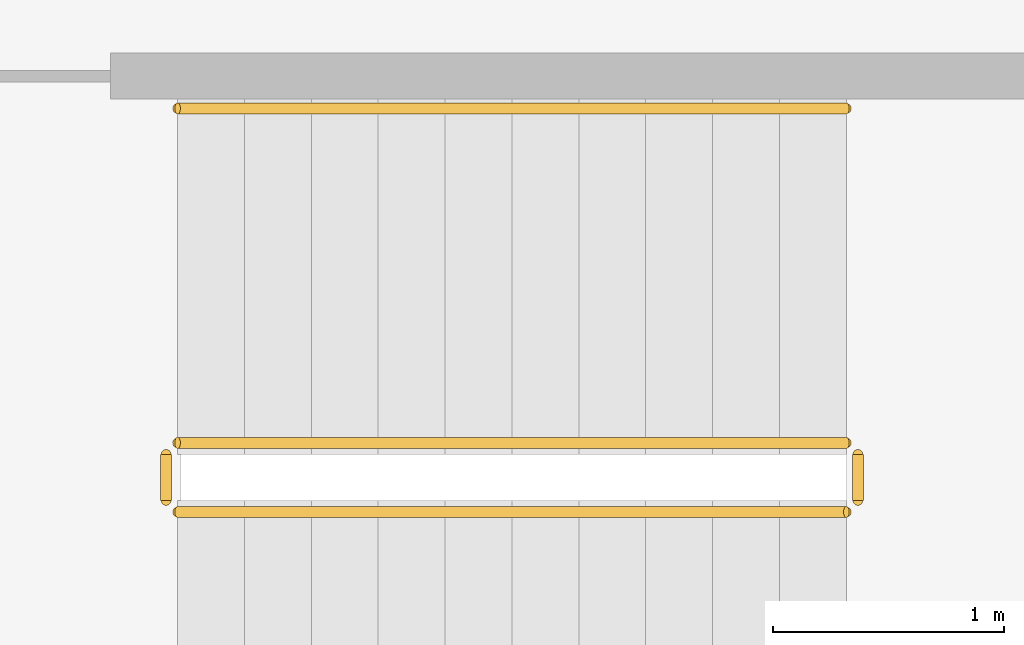
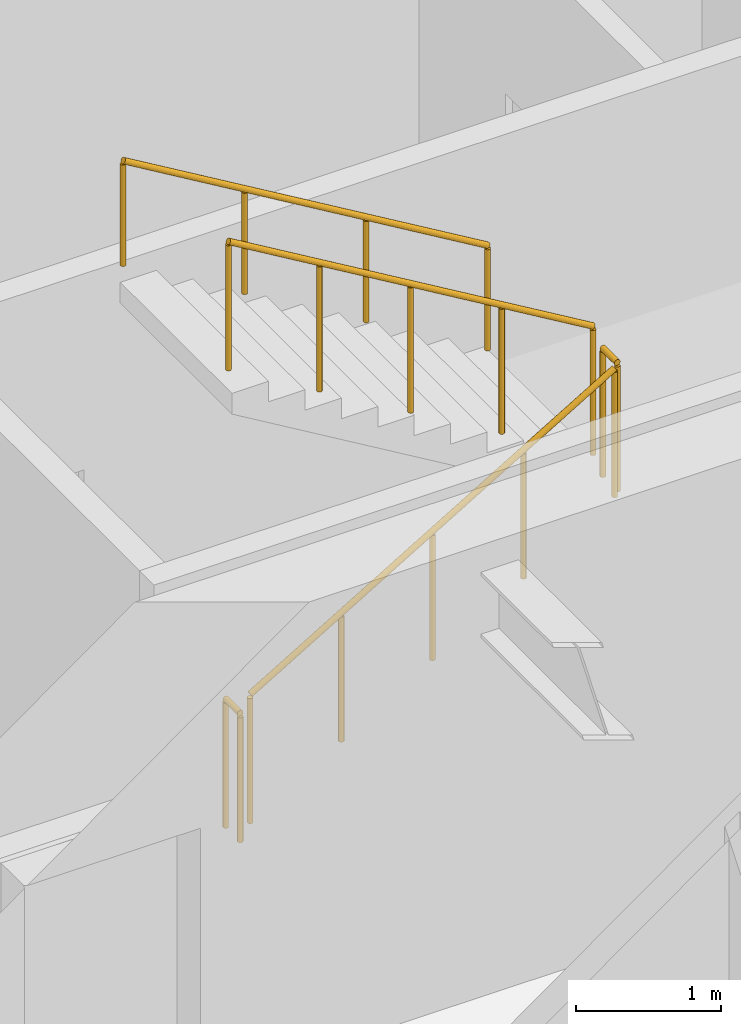
# One storey, part 21 of 22: 5 railings.
"""IFC4 building model written with IfcOpenShell, lengths in metres."""

from ifc_helpers import new_model, si_unit, direction, frame, origin, origin_2d, place, context, subcontext, project, spatial, circle, extrude, material, type_object, element, save


model = new_model("IFC4")

# Units and contexts
model_context = context("Model", 3, precision=1e-05, world=origin(), true_north=direction((0.0, 1.0)))
body_context = subcontext(model_context, "Body", "Model", "MODEL_VIEW")
ifc_project = project(units=[si_unit("LENGTHUNIT", "METRE"), si_unit("AREAUNIT", "SQUARE_METRE"), si_unit("VOLUMEUNIT", "CUBIC_METRE"), si_unit("PLANEANGLEUNIT", "RADIAN"), si_unit("MASSUNIT", "GRAM", prefix="KILO")], contexts=[model_context])

# Site, building, storey
site_placement = place(None, origin())
site = spatial("IfcSite", under=ifc_project, at=site_placement, CompositionType="ELEMENT")
building_placement = place(site_placement, origin())
building = spatial("IfcBuilding", under=site, at=building_placement, Name="Putna Gate Headquarters", CompositionType="ELEMENT")
storey_placement = place(building_placement, frame((0.0, 0.0, 174.60009765625)))
storey = spatial("IfcBuildingStorey", under=building, at=storey_placement, Name="L43", CompositionType="ELEMENT", Elevation=174.60009765625)

# Railings
ifc_material_1 = material(Name="Powder-coated steel stair guardrail", Category="steel")
railing_type_1 = type_object("IfcRailingType", Name="RAIL-STAIR-GUARD-1100", PredefinedType="GUARDRAIL", material=ifc_material_1)
railing_1_placement = place(storey_placement, frame((57.89990234375, 21.10009765625, 0.172607421875)))
element("IfcRailing", 1, at=railing_1_placement, inside=storey, type_object=railing_type_1, Name="L43 ST2 stair guard 1", PredefinedType="GUARDRAIL", context=body_context, shape_type="SweptSolid", body=[
    extrude(circle(Radius=0.02392578125, at=origin_2d()), frame((0.0, 0.0, 1.076171875), z_axis=(0.859160404282, 0.0, 0.51170636083), x_axis=(0.0, 1.0, 0.0)), (0.0, 0.0, 1.0), 3.37548828125),
    extrude(circle(Radius=0.02099609375, at=origin_2d()), origin(), (0.0, 0.0, 1.0), 1.052001953125),
    extrude(circle(Radius=0.02099609375, at=origin_2d()), frame((0.72509765625, 0.0, 0.431884765625)), (0.0, 0.0, 1.0), 1.052001953125),
    extrude(circle(Radius=0.02099609375, at=origin_2d()), frame((1.4501953125, 0.0, 0.86376953125)), (0.0, 0.0, 1.0), 1.052001953125),
    extrude(circle(Radius=0.02099609375, at=origin_2d()), frame((2.175048828125, 0.0, 1.29541015625)), (0.0, 0.0, 1.0), 1.052001953125),
    extrude(circle(Radius=0.02099609375, at=origin_2d()), frame((2.900146484375, 0.0, 1.727294921875)), (0.0, 0.0, 1.0), 1.052001953125),
])
railing_2_placement = place(storey_placement, frame((60.85009765625, 21.14990234375, 1.89990234375)))
element("IfcRailing", 2, at=railing_2_placement, inside=storey, type_object=railing_type_1, Name="L43 ST2 stair guard 2", PredefinedType="GUARDRAIL", context=body_context, shape_type="SweptSolid", body=[
    extrude(circle(Radius=0.02392578125, at=origin_2d()), frame((0.0, 0.0, 1.076171875), z_axis=(0.0, 1.0, 0.0), x_axis=(-1.0, 0.0, 0.0)), (0.0, 0.0, 1.0), 0.2001953125),
    extrude(circle(Radius=0.02099609375, at=origin_2d()), origin(), (0.0, 0.0, 1.0), 1.052001953125),
    extrude(circle(Radius=0.02099609375, at=origin_2d()), frame((0.0, 0.2001953125, 0.0)), (0.0, 0.0, 1.0), 1.052001953125),
])
railing_3_placement = place(storey_placement, frame((60.800048828125, 21.39990234375, 2.072509765625)))
element("IfcRailing", 3, at=railing_3_placement, inside=storey, type_object=railing_type_1, Name="L43 ST2 stair guard 3", PredefinedType="GUARDRAIL", context=body_context, shape_type="SweptSolid", body=[
    extrude(circle(Radius=0.02392578125, at=origin_2d()), frame((0.0, 0.0, 1.076171875), z_axis=(-0.859160404282, 0.0, 0.51170636083), x_axis=(0.0, -1.0, 0.0)), (0.0, 0.0, 1.0), 3.37548828125),
    extrude(circle(Radius=0.02099609375, at=origin_2d()), origin(), (0.0, 0.0, 1.0), 1.052001953125),
    extrude(circle(Radius=0.02099609375, at=origin_2d()), frame((-0.72509765625, 0.0, 0.431884765625)), (0.0, 0.0, 1.0), 1.052001953125),
    extrude(circle(Radius=0.02099609375, at=origin_2d()), frame((-1.4501953125, 0.0, 0.86376953125)), (0.0, 0.0, 1.0), 1.052001953125),
    extrude(circle(Radius=0.02099609375, at=origin_2d()), frame((-2.175048828125, 0.0, 1.29541015625)), (0.0, 0.0, 1.0), 1.052001953125),
    extrude(circle(Radius=0.02099609375, at=origin_2d()), frame((-2.900146484375, 0.0, 1.727294921875)), (0.0, 0.0, 1.0), 1.052001953125),
])
railing_4_placement = place(storey_placement, frame((57.85009765625, 21.14990234375, 0.0)))
element("IfcRailing", 4, at=railing_4_placement, inside=storey, type_object=railing_type_1, Name="L43 ST2 stair guard 4", PredefinedType="GUARDRAIL", context=body_context, shape_type="SweptSolid", body=[
    extrude(circle(Radius=0.02392578125, at=origin_2d()), frame((0.0, 0.0, 1.076171875), z_axis=(0.0, 1.0, 0.0), x_axis=(-1.0, 0.0, 0.0)), (0.0, 0.0, 1.0), 0.2001953125),
    extrude(circle(Radius=0.02099609375, at=origin_2d()), origin(), (0.0, 0.0, 1.0), 1.052001953125),
    extrude(circle(Radius=0.02099609375, at=origin_2d()), frame((0.0, 0.2001953125, 0.0)), (0.0, 0.0, 1.0), 1.052001953125),
])
ifc_material_2 = material(Name="Brushed stainless steel handrail", Category="steel")
railing_type_2 = type_object("IfcRailingType", Name="RAIL-STAIR-HAND-900", PredefinedType="HANDRAIL", material=ifc_material_2)
railing_5_placement = place(storey_placement, frame((60.800048828125, 22.85009765625, 2.072509765625)))
element("IfcRailing", 5, at=railing_5_placement, inside=storey, type_object=railing_type_2, Name="L43 ST2 stair handrail 2", PredefinedType="HANDRAIL", context=body_context, shape_type="SweptSolid", body=[
    extrude(circle(Radius=0.02392578125, at=origin_2d()), frame((0.0, 0.0, 0.8759765625), z_axis=(-0.859160404282, 0.0, 0.51170636083), x_axis=(0.0, -1.0, 0.0)), (0.0, 0.0, 1.0), 3.37548828125),
    extrude(circle(Radius=0.02099609375, at=origin_2d()), origin(), (0.0, 0.0, 1.0), 0.851806640625),
    extrude(circle(Radius=0.02099609375, at=origin_2d()), frame((-0.966796875, 0.0, 0.57568359375)), (0.0, 0.0, 1.0), 0.851806640625),
    extrude(circle(Radius=0.02099609375, at=origin_2d()), frame((-1.933349609375, 0.0, 1.151611328125)), (0.0, 0.0, 1.0), 0.851806640625),
    extrude(circle(Radius=0.02099609375, at=origin_2d()), frame((-2.900146484375, 0.0, 1.727294921875)), (0.0, 0.0, 1.0), 0.851806640625),
])

save(model, "model.ifc")
